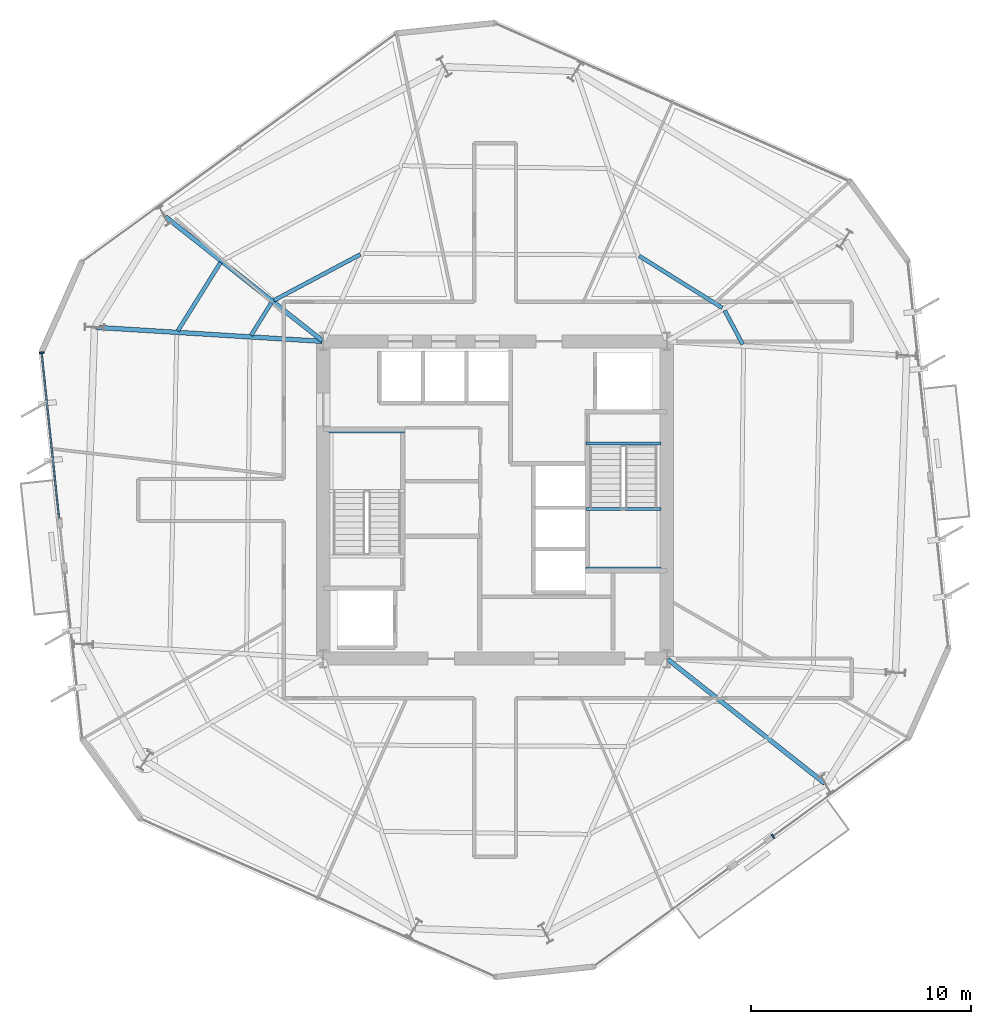
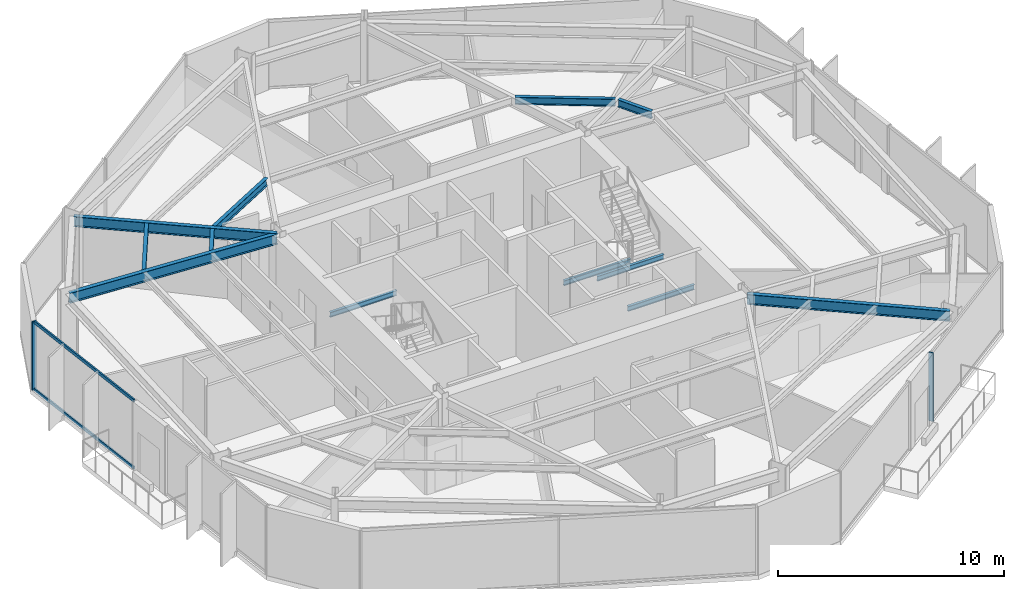
# One storey, part 3 of 12: 12 beams, 4 members, 2 elements without a shape of their own.
"""IFC4 building model written with IfcOpenShell, lengths in metres."""

from ifc_helpers import new_model, si_unit, direction, frame, origin, origin_2d, place, context, subcontext, project, spatial, rectangle, i_section, extrude, material, layer, layer_set, material_profile, profile_set, type_object, element, aggregate, save


model = new_model("IFC4")

# Units and contexts
model_context = context("Model", 3, precision=1e-05, world=origin(), true_north=direction((0.0, 1.0)))
body_context = subcontext(model_context, "Body", "Model", "MODEL_VIEW")
ifc_project = project(units=[si_unit("LENGTHUNIT", "METRE"), si_unit("AREAUNIT", "SQUARE_METRE"), si_unit("VOLUMEUNIT", "CUBIC_METRE"), si_unit("PLANEANGLEUNIT", "RADIAN"), si_unit("MASSUNIT", "GRAM", prefix="KILO")], contexts=[model_context])

# Site, building, storey
site_placement = place(None, origin())
site = spatial("IfcSite", under=ifc_project, at=site_placement, CompositionType="ELEMENT")
building_placement = place(site_placement, origin())
building = spatial("IfcBuilding", under=site, at=building_placement, Name="Kranzbogen Civic Tower", CompositionType="ELEMENT")
storey_placement = place(building_placement, frame((0.0, 0.0, 166.39990234375)))
storey = spatial("IfcBuildingStorey", under=building, at=storey_placement, Name="L40", CompositionType="ELEMENT", Elevation=166.39990234375)

# Curtain wall, member
ifc_material_1 = material(Name="Pale Anodised Aluminium", Category="aluminium")
ifc_layer = layer(ifc_material_1, 0.219970703125, Name="Pale Anodised Aluminium")
ifc_layer_set = layer_set([ifc_layer], Name="Pale Anodised Aluminium")
curtain_wall_type = type_object("IfcCurtainWallType", Name="Zone 2 Stick Curtain Wall System CW-03", PredefinedType="USERDEFINED", material=ifc_layer_set)
curtain_wall_1_placement = place(storey_placement, origin())
curtain_wall_1 = element("IfcCurtainWall", 1, at=curtain_wall_1_placement, inside=storey, type_object=curtain_wall_type, Name="L40 curtain wall CW-L40-F3-S1", ObjectType="STICK CURTAIN WALL", PredefinedType="USERDEFINED")
ifc_material_profile_1 = material_profile(ifc_material_1, rectangle(XDim=0.074951171875, YDim=0.219970703125, at=origin_2d()), Name="ALU-M 75x220")
ifc_profile_set_1 = profile_set([ifc_material_profile_1], Name="Pale Anodised Aluminium")
member_type_1 = type_object("IfcMemberType", Name="Curtain Wall Mullion ALU-M 75x220", PredefinedType="MULLION", material=ifc_profile_set_1)
member_1_placement = place(storey_placement, frame((4.416015625, 31.689208984375, 0.0), z_axis=(0.0, 0.0, 1.0), x_axis=(0.104521149206, -0.99452266408, 0.0)))
member_1 = element("IfcMember", 2, at=member_1_placement, type_object=member_type_1, Name="CW-03 mullion 1", PredefinedType="MULLION", context=body_context, shape_type="SweptSolid", body=[
    extrude(rectangle(XDim=0.074951171875, YDim=0.219970703125, at=origin_2d()), origin(), (0.0, 0.0, 1.0), 3.7001953125),
])

curtain_wall_2_placement = place(storey_placement, origin())
curtain_wall_2 = element("IfcCurtainWall", 3, at=curtain_wall_2_placement, inside=storey, type_object=curtain_wall_type, Name="L40 curtain wall CW-L40-F5-S2", ObjectType="STICK CURTAIN WALL", PredefinedType="USERDEFINED")
member_2_placement = place(storey_placement, frame((37.6171875, 9.7265625, 0.0), z_axis=(0.0, 0.0, 1.0), x_axis=(0.808962592733, 0.587860122443, 0.0)))
member_2 = element("IfcMember", 4, at=member_2_placement, type_object=member_type_1, Name="CW-03 mullion 1", PredefinedType="MULLION", context=body_context, shape_type="SweptSolid", body=[
    extrude(rectangle(XDim=0.074951171875, YDim=0.219970703125, at=origin_2d()), origin(), (0.0, 0.0, 1.0), 3.7001953125),
])
aggregate(curtain_wall_2, [member_2])

# Member
ifc_material_profile_2 = material_profile(ifc_material_1, rectangle(XDim=0.074951171875, YDim=0.1650390625, at=origin_2d()), Name="ALU-T 75x165")
ifc_profile_set_2 = profile_set([ifc_material_profile_2], Name="Pale Anodised Aluminium")
member_type_2 = type_object("IfcMemberType", Name="Curtain Wall Transom ALU-T 75x165", PredefinedType="USERDEFINED", material=ifc_profile_set_2)
member_3_placement = place(storey_placement, frame((4.419189453125, 31.659423828125, 0.030029296875), z_axis=(0.10454610906, -0.994520040563, 0.0), x_axis=(0.994520040563, 0.10454610906, 0.0)))
member_3 = element("IfcMember", 5, at=member_3_placement, type_object=member_type_2, Name="CW-03 transom 1.1", ObjectType="TRANSOM", PredefinedType="USERDEFINED", context=body_context, shape_type="SweptSolid", body=[
    extrude(rectangle(XDim=0.074951171875, YDim=0.1650390625, at=origin_2d()), origin(), (0.0, 0.0, 1.0), 7.514892578125),
])

member_4_placement = place(storey_placement, frame((4.419189453125, 31.659423828125, 3.670166015625), z_axis=(0.10454610906, -0.994520040563, 0.0), x_axis=(0.994520040563, 0.10454610906, 0.0)))
member_4 = element("IfcMember", 6, at=member_4_placement, type_object=member_type_2, Name="CW-03 transom 1.2", ObjectType="TRANSOM", PredefinedType="USERDEFINED", context=body_context, shape_type="SweptSolid", body=[
    extrude(rectangle(XDim=0.074951171875, YDim=0.1650390625, at=origin_2d()), origin(), (0.0, 0.0, 1.0), 7.514892578125),
])

aggregate(curtain_wall_1, [member_1, member_3, member_4])

# Beams
ifc_material_2 = material(Name="Steel S355", Category="steel")
ifc_material_profile_3 = material_profile(ifc_material_2, i_section(OverallWidth=0.2099609375, OverallDepth=0.550048828125, WebThickness=0.010986328125, FlangeThickness=0.01708984375, at=origin_2d()), Name="IPE 550")
ifc_profile_set_3 = profile_set([ifc_material_profile_3], Name="Steel S355")
beam_type_1 = type_object("IfcBeamType", Name="Radial Tower Floor Girder IPE 550", PredefinedType="BEAM", material=ifc_profile_set_3)
for number, where, z_axis, x_axis, name in (
    (7, (39.97607421875, 12.12890625, 3.425048828125), (-0.78457455683, 0.620034486763, 0.0), (-0.620034486763, -0.78457455683, 0.0), "L40 radial floor girder 05"),
    (8, (10.02392578125, 37.87109375, 3.425048828125), (0.78457455683, -0.620034486763, 0.0), (0.620034486763, 0.78457455683, 0.0), "L40 radial floor girder 11"),
):
    element("IfcBeam", number, at=place(storey_placement, frame(where, z_axis=z_axis, x_axis=x_axis)), inside=storey, type_object=beam_type_1, Name=name, PredefinedType="BEAM", context=body_context, shape_type="SweptSolid", body=[
        extrude(i_section(OverallWidth=0.2099609375, OverallDepth=0.550048828125, WebThickness=0.010986328125, FlangeThickness=0.01708984375, at=origin_2d()), origin(), (0.0, 0.0, 1.0), 9.086669921875),
    ])
beam_1_placement = place(storey_placement, frame((6.873046875, 32.840087890625, 3.425048828125), z_axis=(0.998086872961, -0.061827130147, 0.0), x_axis=(0.061827130147, 0.998086872961, 0.0)))
element("IfcBeam", 9, at=beam_1_placement, inside=storey, type_object=beam_type_1, Name="L40 radial floor girder 12", PredefinedType="BEAM", context=body_context, shape_type="SweptSolid", body=[
    extrude(i_section(OverallWidth=0.2099609375, OverallDepth=0.550048828125, WebThickness=0.010986328125, FlangeThickness=0.01708984375, at=origin_2d()), origin(), (0.0, 0.0, 1.0), 10.28662109375),
])
ifc_material_profile_4 = material_profile(ifc_material_2, i_section(OverallWidth=0.179931640625, OverallDepth=0.39990234375, WebThickness=0.008544921875, FlangeThickness=0.013427734375, at=origin_2d()), Name="IPE 400")
ifc_profile_set_4 = profile_set([ifc_material_profile_4], Name="Steel S355")
beam_type_2 = type_object("IfcBeamType", Name="Secondary Composite Floor Joist IPE 400", PredefinedType="JOIST", material=ifc_profile_set_4)
beam_2_placement = place(storey_placement, frame((36.2470703125, 32.06494140625, 3.5), z_axis=(-0.46943723363, 0.882965845139, 0.0), x_axis=(-0.882965845139, -0.46943723363, 0.0)))
element("IfcBeam", 10, at=beam_2_placement, inside=storey, type_object=beam_type_2, Name="L40 secondary floor joist 2.07", PredefinedType="JOIST", context=body_context, shape_type="SweptSolid", body=[
    extrude(i_section(OverallWidth=0.179931640625, OverallDepth=0.39990234375, WebThickness=0.008544921875, FlangeThickness=0.013427734375, at=origin_2d()), origin(), (0.0, 0.0, 1.0), 1.7509765625),
])
beam_3_placement = place(storey_placement, frame((35.320068359375, 33.72412109375, 3.5), z_axis=(-0.848093834398, 0.529846060716, 0.0), x_axis=(-0.529846060716, -0.848093834398, 0.0)))
element("IfcBeam", 11, at=beam_3_placement, inside=storey, type_object=beam_type_2, Name="L40 secondary floor joist 2.08", PredefinedType="JOIST", context=body_context, shape_type="SweptSolid", body=[
    extrude(i_section(OverallWidth=0.179931640625, OverallDepth=0.39990234375, WebThickness=0.008544921875, FlangeThickness=0.013427734375, at=origin_2d()), origin(), (0.0, 0.0, 1.0), 4.4501953125),
])
beam_4_placement = place(storey_placement, frame((18.888916015625, 36.153076171875, 3.5), z_axis=(-0.882991399158, -0.469389165844, 0.0), x_axis=(0.469389165844, -0.882991399158, 0.0)))
element("IfcBeam", 12, at=beam_4_placement, inside=storey, type_object=beam_type_2, Name="L40 secondary floor joist 2.10", PredefinedType="JOIST", context=body_context, shape_type="SweptSolid", body=[
    extrude(i_section(OverallWidth=0.179931640625, OverallDepth=0.39990234375, WebThickness=0.008544921875, FlangeThickness=0.013427734375, at=origin_2d()), origin(), (0.0, 0.0, 1.0), 4.45068359375),
])
beam_5_placement = place(storey_placement, frame((12.534912109375, 35.784912109375, 3.5), z_axis=(-0.529867065107, -0.848080711557, 0.0), x_axis=(0.848080711557, -0.529867065107, 0.0)))
element("IfcBeam", 13, at=beam_5_placement, inside=storey, type_object=beam_type_2, Name="L40 secondary floor joist 1.11", PredefinedType="JOIST", context=body_context, shape_type="SweptSolid", body=[
    extrude(i_section(OverallWidth=0.179931640625, OverallDepth=0.39990234375, WebThickness=0.008544921875, FlangeThickness=0.013427734375, at=origin_2d()), origin(), (0.0, 0.0, 1.0), 3.6611328125),
])
beam_6_placement = place(storey_placement, frame((14.845947265625, 33.958984375, 3.5), z_axis=(-0.529572623603, -0.84826460278, 0.0), x_axis=(0.84826460278, -0.529572623603, 0.0)))
element("IfcBeam", 14, at=beam_6_placement, inside=storey, type_object=beam_type_2, Name="L40 secondary floor joist 2.11", PredefinedType="JOIST", context=body_context, shape_type="SweptSolid", body=[
    extrude(i_section(OverallWidth=0.179931640625, OverallDepth=0.39990234375, WebThickness=0.008544921875, FlangeThickness=0.013427734375, at=origin_2d()), origin(), (0.0, 0.0, 1.0), 1.75048828125),
])
ifc_material_profile_5 = material_profile(ifc_material_2, i_section(OverallWidth=0.135009765625, OverallDepth=0.27001953125, WebThickness=0.006591796875, FlangeThickness=0.01025390625, at=origin_2d()), Name="IPE 270")
ifc_profile_set_5 = profile_set([ifc_material_profile_5], Name="Steel S355")
beam_type_3 = type_object("IfcBeamType", Name="Stair Landing Support Beam IPE 270", PredefinedType="JOIST", material=ifc_profile_set_5)
for number, where, z_axis, x_axis, name in (
    (15, (20.8798828125, 28.10009765625, 1.6650390625), (-1.0, 0.0, 0.0), (0.0, -1.0, 0.0), "L40 ST-T1 landing support beam 1.2"),
    (16, (29.1201171875, 27.56005859375, -0.375), (1.0, 0.0, 0.0), (0.0, 1.0, 0.0), "L40 ST-T2 stair floor header beam"),
    (17, (29.1201171875, 24.60009765625, 1.6650390625), (1.0, 0.0, 0.0), (0.0, 1.0, 0.0), "L40 ST-T2 landing support beam 1.1"),
    (18, (29.1201171875, 21.89990234375, 1.6650390625), (1.0, 0.0, 0.0), (0.0, 1.0, 0.0), "L40 ST-T2 landing support beam 1.2"),
):
    element("IfcBeam", number, at=place(storey_placement, frame(where, z_axis=z_axis, x_axis=x_axis)), inside=storey, type_object=beam_type_3, Name=name, PredefinedType="JOIST", context=body_context, shape_type="SweptSolid", body=[
        extrude(i_section(OverallWidth=0.135009765625, OverallDepth=0.27001953125, WebThickness=0.006591796875, FlangeThickness=0.01025390625, at=origin_2d()), origin(), (0.0, 0.0, 1.0), 3.409912109375),
    ])

save(model, "model.ifc")
